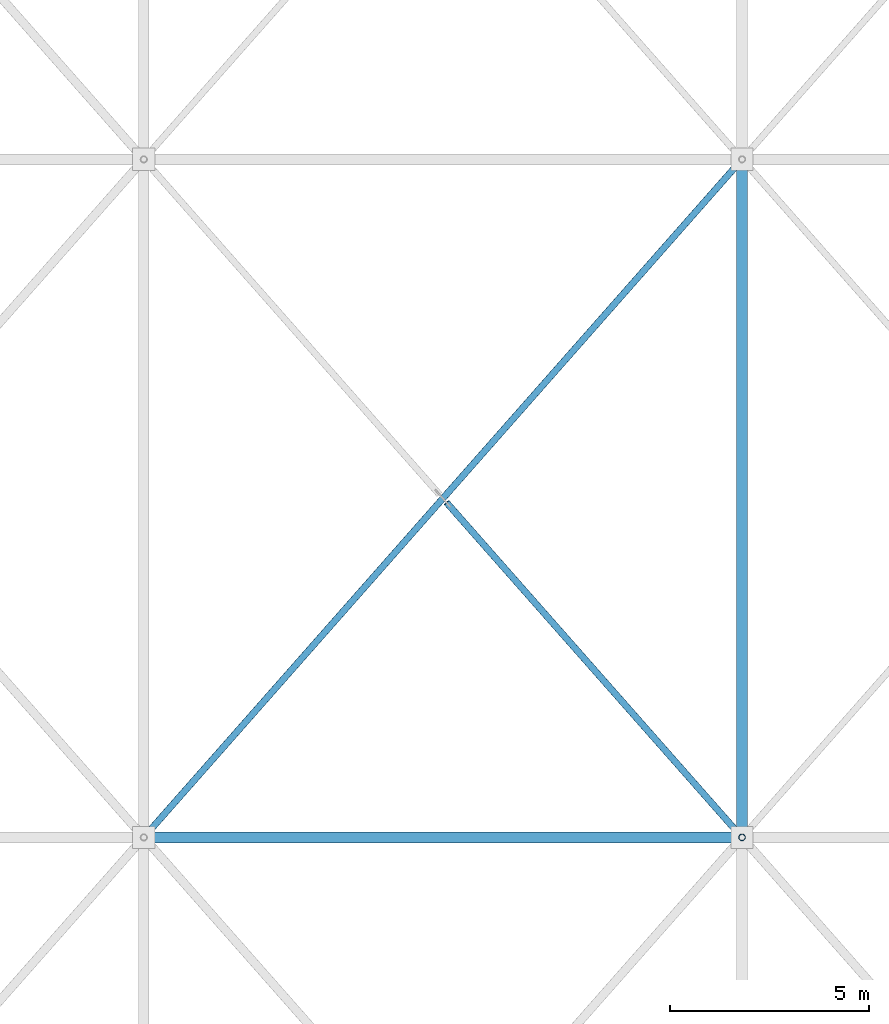
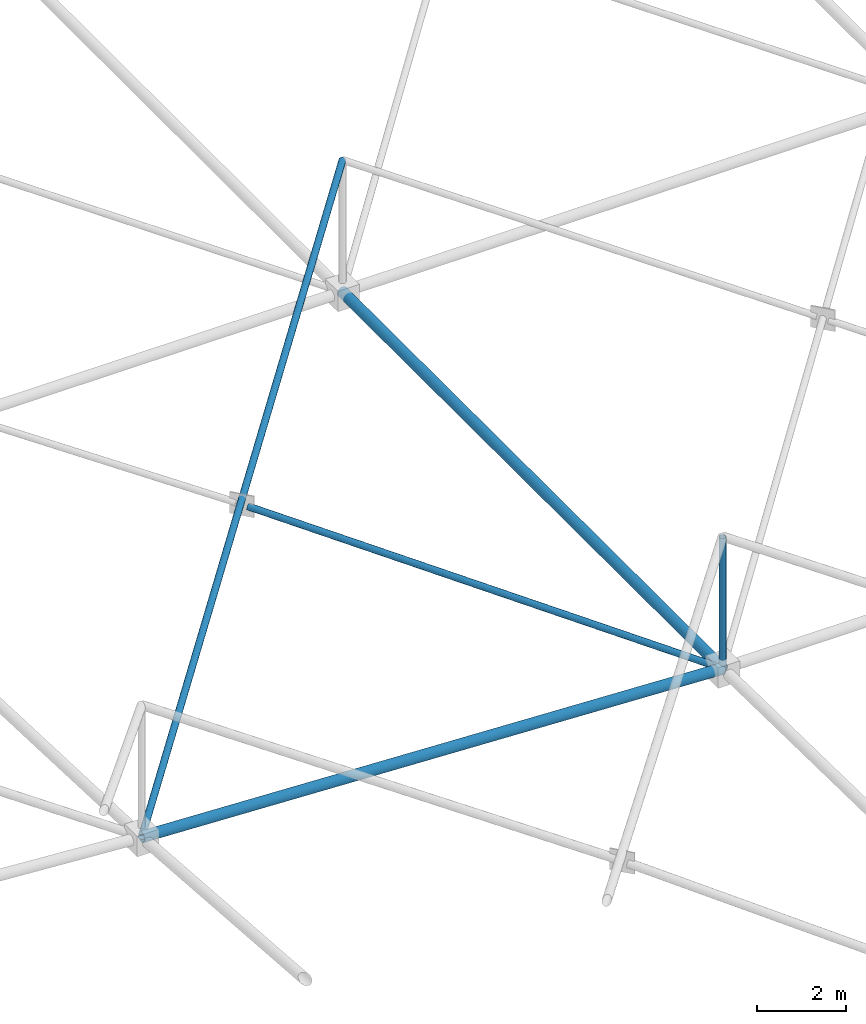
# One storey, part 36 of 224: 5 members.
"""IFC4 building model written with IfcOpenShell, lengths in metres."""

from ifc_helpers import new_model, si_unit, direction, frame, origin, origin_2d, place, context, subcontext, project, spatial, hollow_circle, extrude, material, material_profile, profile_set, type_object, element, save


model = new_model("IFC4")

# Units and contexts
model_context = context("Model", 3, precision=1e-05, world=origin(), true_north=direction((0.0, 1.0)))
body_context = subcontext(model_context, "Body", "Model", "MODEL_VIEW")
ifc_project = project(units=[si_unit("LENGTHUNIT", "METRE"), si_unit("AREAUNIT", "SQUARE_METRE"), si_unit("VOLUMEUNIT", "CUBIC_METRE"), si_unit("PLANEANGLEUNIT", "RADIAN"), si_unit("MASSUNIT", "GRAM", prefix="KILO")], contexts=[model_context])

# Site, building, storey
site_placement = place(None, origin())
site = spatial("IfcSite", under=ifc_project, at=site_placement, CompositionType="ELEMENT")
building_placement = place(site_placement, origin())
building = spatial("IfcBuilding", under=site, at=building_placement, Name="Qamarlyn Nura Convention Centre", CompositionType="ELEMENT")
storey_placement = place(building_placement, frame((0.0, 0.0, 10.800048828125)))
storey = spatial("IfcBuildingStorey", under=building, at=storey_placement, Name="L02", CompositionType="ELEMENT", Elevation=10.800048828125)

# Members
ifc_material = material(Name="Pearl-white PVDF steel ASTM A500 Grade C", Category="steel")
ifc_material_profile_1 = material_profile(ifc_material, hollow_circle(Radius=0.136474609375, WallThickness=0.012451171875, at=origin_2d()), Name="CHS273X12.5")
ifc_profile_set_1 = profile_set([ifc_material_profile_1], Name="Pearl-white PVDF steel ASTM A500 Grade C")
member_type_1 = type_object("IfcMemberType", Name="SF-BC-MAIN", PredefinedType="CHORD", material=ifc_profile_set_1)
member_1_placement = place(storey_placement, frame((15.0, 35.0, 1.48046875), z_axis=(0.999057783726, 0.0, -0.043399824622), x_axis=(0.0, 1.0, 0.0)))
element("IfcMember", 1, at=member_1_placement, inside=storey, type_object=member_type_1, Name="ROOF TRUSS space frame bottom chord X3-3", PredefinedType="CHORD", context=body_context, shape_type="SweptSolid", body=[
    extrude(hollow_circle(Radius=0.136474609375, WallThickness=0.012451171875, at=origin_2d()), origin(), (0.0, 0.0, 1.0), 15.01416015625),
])
member_2_placement = place(storey_placement, frame((30.0, 35.0, 0.828857421875), z_axis=(0.0, 0.999998564129, -0.001694620729), x_axis=(-1.0, 0.0, 0.0)))
element("IfcMember", 2, at=member_2_placement, inside=storey, type_object=member_type_1, Name="ROOF TRUSS space frame bottom chord Y4-3", PredefinedType="CHORD", context=body_context, shape_type="SweptSolid", body=[
    extrude(hollow_circle(Radius=0.136474609375, WallThickness=0.012451171875, at=origin_2d()), origin(), (0.0, 0.0, 1.0), 17.0),
])
ifc_material_profile_2 = material_profile(ifc_material, hollow_circle(Radius=0.084228515625, WallThickness=0.008056640625, at=origin_2d()), Name="CHS168.3X8")
ifc_profile_set_2 = profile_set([ifc_material_profile_2], Name="Pearl-white PVDF steel ASTM A500 Grade C")
member_type_2 = type_object("IfcMemberType", Name="SF-WEB-STD", PredefinedType="BRACE", material=ifc_profile_set_2)
member_3_placement = place(storey_placement, frame((15.0, 35.0, 1.48046875), z_axis=(0.656203458204, 0.743697252631, 0.127716161348), x_axis=(-0.749837855365, 0.661621637087, 0.0)))
element("IfcMember", 3, at=member_3_placement, inside=storey, type_object=member_type_2, Name="ROOF TRUSS space frame diagonal A 3-3", PredefinedType="BRACE", context=body_context, shape_type="SweptSolid", body=[
    extrude(hollow_circle(Radius=0.084228515625, WallThickness=0.008056640625, at=origin_2d()), origin(), (0.0, 0.0, 1.0), 22.858642578125),
])
member_4_placement = place(storey_placement, frame((30.0, 35.0, 0.828857421875), z_axis=(-0.652036663085, 0.73897488483, 0.169600440986), x_axis=(-0.749837855365, -0.661621637087, 0.0)))
element("IfcMember", 4, at=member_4_placement, inside=storey, type_object=member_type_2, Name="ROOF TRUSS space frame split diagonal B1 3-3", PredefinedType="BRACE", context=body_context, shape_type="SweptSolid", body=[
    extrude(hollow_circle(Radius=0.084228515625, WallThickness=0.008056640625, at=origin_2d()), origin(), (0.0, 0.0, 1.0), 11.362060546875),
])
member_5_placement = place(storey_placement, frame((30.0, 35.0, 0.828857421875), z_axis=(0.0, 0.0, 1.0), x_axis=(1.0, 0.0, 0.0)))
element("IfcMember", 5, at=member_5_placement, inside=storey, type_object=member_type_2, Name="ROOF TRUSS space frame vertical 4-3", PredefinedType="BRACE", context=body_context, shape_type="SweptSolid", body=[
    extrude(hollow_circle(Radius=0.084228515625, WallThickness=0.008056640625, at=origin_2d()), origin(), (0.0, 0.0, 1.0), 3.60009765625),
])

save(model, "model.ifc")
